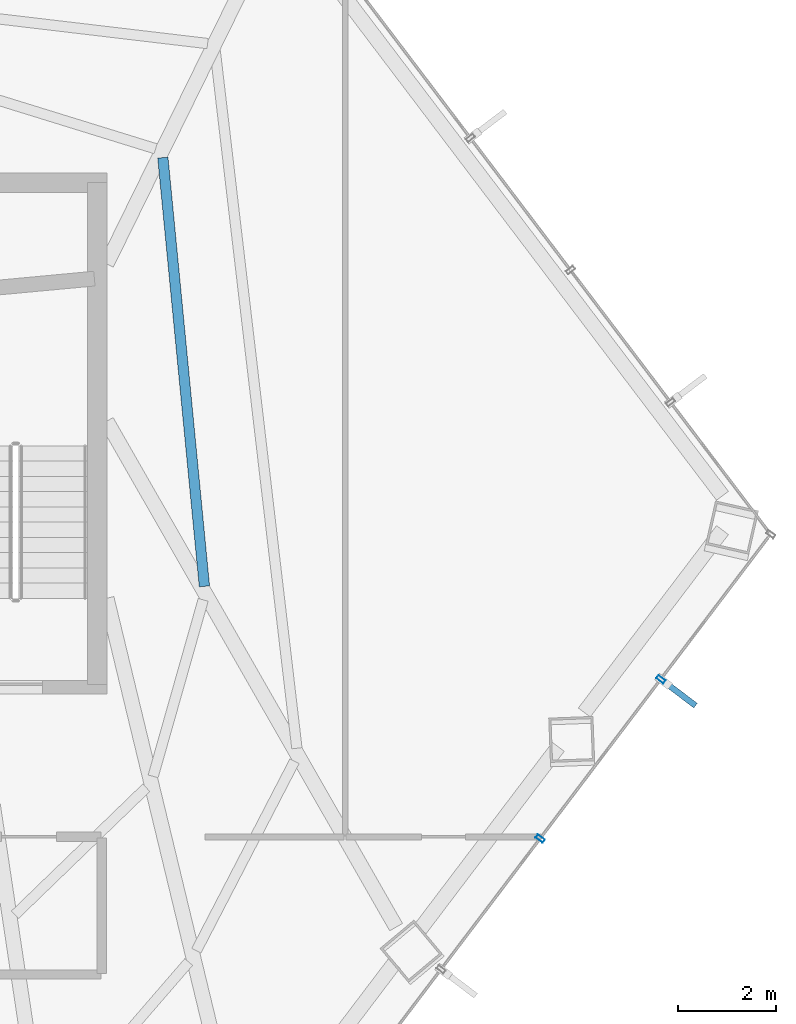
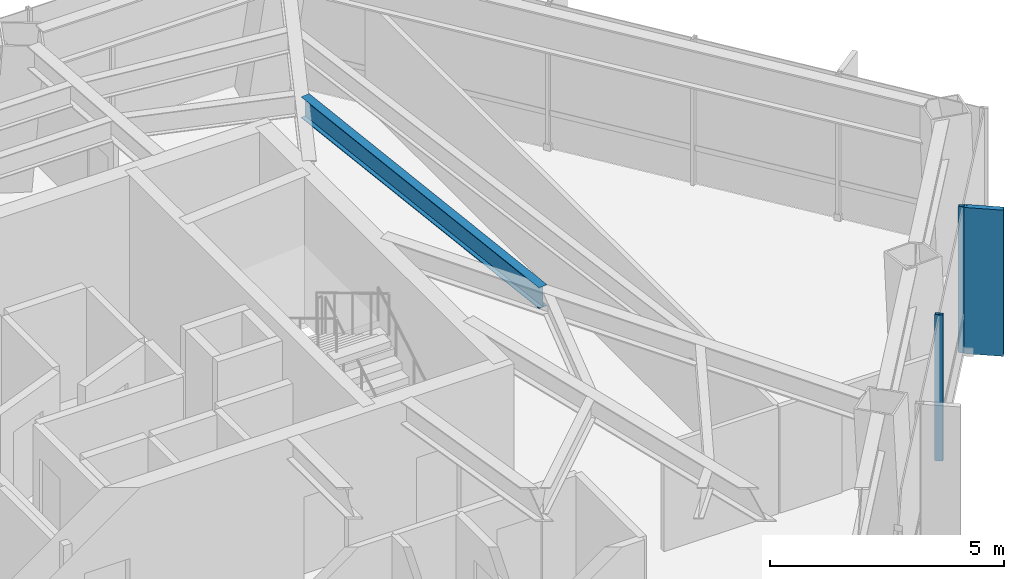
# One storey, part 19 of 27: 3 members, 1 beam, 1 element without a shape of its own.
"""IFC4 building model written with IfcOpenShell, lengths in metres."""

import ifcopenshell
import ifcopenshell.guid

model = None  # the IFC model being written
_history = None  # IfcOwnerHistory: only IFC2X3 demands one
_inside = {}  # id of a spatial element -> (the spatial element, [elements in it])
_under = {}  # id of a project, library or spatial element -> (it, [spatial elements below it])
_declared = {}  # id of a project -> (the project, [libraries it declares])
_typed = {}  # id of a type object -> (the type object, [elements of that type])
_made_of = {}  # id of a material, layer set ... -> (it, [elements and type objects made of it])


def new_model(schema):
    """Start an empty IFC model of exactly this schema.

    Asked for "IFC4X3", IfcOpenShell would pick the latest addendum, in which some entities
    have other attributes; the version numbers below select the first issue.
    IFC2X3 requires an IfcOwnerHistory on every rooted entity: one is made here for all.
    """
    global model, _history
    if schema == "IFC4X3":
        model = ifcopenshell.file(schema_version=(4, 3, 0, 0))
    else:
        model = ifcopenshell.file(schema=schema)
    _inside.clear()
    _under.clear()
    _declared.clear()
    _typed.clear()
    _made_of.clear()
    _history = None
    if model.schema == "IFC2X3":
        org = make("IfcOrganization", Name="unknown")
        user = make(
            "IfcPersonAndOrganization",
            ThePerson=make("IfcPerson", FamilyName="unknown"),
            TheOrganization=org,
        )
        app = make(
            "IfcApplication",
            ApplicationDeveloper=org,
            Version="unknown",
            ApplicationFullName="unknown",
            ApplicationIdentifier="unknown",
        )
        _history = make(
            "IfcOwnerHistory",
            OwningUser=user,
            OwningApplication=app,
            ChangeAction="ADDED",
            CreationDate=0,
        )
    return model


def make(cls, **values):
    """One entity of the class cls with the attributes given. An attribute that is None is left unset."""
    return model.create_entity(
        cls, **{name: value for name, value in values.items() if value is not None}
    )


def rooted(cls, **values):
    """An entity with a GlobalId (a new one), such as an element, a storey or a relation."""
    return make(cls, GlobalId=ifcopenshell.guid.new(), OwnerHistory=_history, **values)


def si_unit(unit_type, name, prefix=None):
    """IfcSIUnit, for example si_unit("LENGTHUNIT", "METRE", prefix="MILLI")."""
    return make("IfcSIUnit", UnitType=unit_type, Prefix=prefix, Name=name)


def assignment(units):
    """IfcUnitAssignment: the units of a project."""
    return None if units is None else make("IfcUnitAssignment", Units=units)


def point(xyz):
    """IfcCartesianPoint."""
    return None if xyz is None else make("IfcCartesianPoint", Coordinates=xyz)


def direction(xyz):
    """IfcDirection."""
    return None if xyz is None else make("IfcDirection", DirectionRatios=xyz)


def frame(location, z_axis=None, x_axis=None):
    """IfcAxis2Placement3D, a coordinate frame: its origin and axes. An axis left out is left unset."""
    return make(
        "IfcAxis2Placement3D",
        Location=point(location),
        Axis=direction(z_axis),
        RefDirection=direction(x_axis),
    )


def frame_2d(location, x_axis=None):
    """IfcAxis2Placement2D, a coordinate frame in the plane: its origin and x axis."""
    return make(
        "IfcAxis2Placement2D", Location=point(location), RefDirection=direction(x_axis)
    )


def origin():
    """The frame at (0, 0, 0) with its axes left unset."""
    return frame((0.0, 0.0, 0.0))


def origin_2d():
    """The frame at (0, 0) in the plane with its x axis left unset."""
    return frame_2d((0.0, 0.0))


def place(relative_to, where):
    """IfcLocalPlacement: puts the frame where relative to a parent placement (None: the world)."""
    return make(
        "IfcLocalPlacement", PlacementRelTo=relative_to, RelativePlacement=where
    )


def context(
    kind, dimensions, precision=None, world=None, true_north=None, identifier=None
):
    """IfcGeometricRepresentationContext, for example the 3D "Model" context."""
    return make(
        "IfcGeometricRepresentationContext",
        ContextIdentifier=identifier,
        ContextType=kind,
        CoordinateSpaceDimension=dimensions,
        Precision=precision,
        WorldCoordinateSystem=world,
        TrueNorth=true_north,
    )


def subcontext(parent, identifier, kind, view, scale=None):
    """IfcGeometricRepresentationSubContext, for example "Body" below "Model"."""
    return make(
        "IfcGeometricRepresentationSubContext",
        ContextIdentifier=identifier,
        ContextType=kind,
        ParentContext=parent,
        TargetScale=scale,
        TargetView=view,
    )


def project(units=None, contexts=None):
    """IfcProject with its units and contexts."""
    return rooted(
        "IfcProject",
        Name="project",
        RepresentationContexts=contexts,
        UnitsInContext=assignment(units),
    )


def spatial(cls, under=None, at=None, **own):
    """A site, building, storey or space (cls), placed at a placement, below another one or the project."""
    s = rooted(cls, ObjectPlacement=at, **own)
    if under is not None:
        _under.setdefault(under.id(), (under, []))[1].append(s)
    return s


def profile(cls, at=None, kind="AREA", **sizes):
    """A parametric profile (cls). Its sizes go by their IFC names, for example OverallWidth=200.0."""
    return make(cls, ProfileType=kind, Position=at, **sizes)


def rectangle(**sizes):
    """IfcRectangleProfileDef."""
    return profile("IfcRectangleProfileDef", **sizes)


def hollow_rectangle(**sizes):
    """IfcRectangleHollowProfileDef."""
    return profile("IfcRectangleHollowProfileDef", **sizes)


def i_section(**sizes):
    """IfcIShapeProfileDef."""
    return profile("IfcIShapeProfileDef", **sizes)


def extrude(swept, where, along, depth):
    """IfcExtrudedAreaSolid: the profile swept, set in the frame where, extruded along a direction by depth."""
    return make(
        "IfcExtrudedAreaSolid",
        SweptArea=swept,
        Position=where,
        ExtrudedDirection=direction(along),
        Depth=depth,
    )


def shape(context_of_items, identifier, shape_type, items):
    """IfcShapeRepresentation: the items that make up one representation, for example the "Body"."""
    return make(
        "IfcShapeRepresentation",
        ContextOfItems=context_of_items,
        RepresentationIdentifier=identifier,
        RepresentationType=shape_type,
        Items=items,
    )


def material(Name=None, Category=None):
    """IfcMaterial."""
    return make("IfcMaterial", Name=Name, Category=Category)


def layer(
    of_material, thickness, ventilated=None, Name=None, Category=None, Priority=None
):
    """IfcMaterialLayer: one layer of a wall or slab, of a material (None: an air gap)."""
    return make(
        "IfcMaterialLayer",
        Material=of_material,
        LayerThickness=thickness,
        IsVentilated=ventilated,
        Name=Name,
        Category=Category,
        Priority=Priority,
    )


def layer_set(layers, Name=None):
    """IfcMaterialLayerSet."""
    return make("IfcMaterialLayerSet", MaterialLayers=layers, LayerSetName=Name)


def material_profile(
    of_material, cross_section, Name=None, Category=None, Priority=None
):
    """IfcMaterialProfile: a cross section and its material."""
    return make(
        "IfcMaterialProfile",
        Name=Name,
        Material=of_material,
        Profile=cross_section,
        Priority=Priority,
        Category=Category,
    )


def profile_set(profiles, Name=None, composite=None):
    """IfcMaterialProfileSet."""
    return make(
        "IfcMaterialProfileSet",
        Name=Name,
        MaterialProfiles=profiles,
        CompositeProfile=composite,
    )


def made_of(thing, what):
    """Note that an element or type object is made of a material, layer set ...; save() writes the relation."""
    if what is not None:
        _made_of.setdefault(what.id(), (what, []))[1].append(thing)
    return thing


def type_object(cls, material=None, **own):
    """A type object (cls), such as IfcWallType, which elements share."""
    return made_of(rooted(cls, **own), material)


def element(
    cls,
    number,
    at=None,
    inside=None,
    cuts=None,
    type_object=None,
    material=None,
    context=None,
    identifier="Body",
    shape_type=None,
    held_by="IfcProductDefinitionShape",
    body=None,
    shapes=None,
    **own,
):
    """One element of the class cls, such as IfcWall. Its Tag is "e" and its number.

    at: its placement. inside: the storey or other place that contains it. cuts: it is an
    opening in that element (IfcRelVoidsElement). A single representation is given by context,
    identifier, shape_type and body (its items); several are given by shapes. held_by: the class
    of the entity that holds the representations. save() writes the other relations.
    """
    e = rooted(cls, Tag="e%d" % number, ObjectPlacement=at, **own)
    if body is not None:
        shapes = [shape(context, identifier, shape_type, body)]
    if shapes is not None:
        e.Representation = make(held_by, Representations=shapes)
    if inside is not None:
        _inside.setdefault(inside.id(), (inside, []))[1].append(e)
    if cuts is not None:
        rooted(
            "IfcRelVoidsElement", RelatingBuildingElement=cuts, RelatedOpeningElement=e
        )
    if type_object is not None:
        _typed.setdefault(type_object.id(), (type_object, []))[1].append(e)
    return made_of(e, material)


def aggregate(whole, parts):
    """IfcRelAggregates: a whole, such as a stair, and the parts it consists of."""
    return rooted("IfcRelAggregates", RelatingObject=whole, RelatedObjects=parts)


def save(model, path):
    """Write the relations noted so far, then the file.

    IfcRelAggregates (storeys below a building ...), IfcRelContainedInSpatialStructure (elements
    in a storey), IfcRelDefinesByType, IfcRelAssociatesMaterial and IfcRelDeclares: one each for
    every whole, place, type object, material and project.
    """
    for whole, parts in _under.values():
        aggregate(whole, parts)
    for where, things in _inside.values():
        rooted(
            "IfcRelContainedInSpatialStructure",
            RelatedElements=things,
            RelatingStructure=where,
        )
    for kind, things in _typed.values():
        rooted("IfcRelDefinesByType", RelatedObjects=things, RelatingType=kind)
    for what, things in _made_of.values():
        rooted("IfcRelAssociatesMaterial", RelatedObjects=things, RelatingMaterial=what)
    for by, libraries in _declared.values():
        rooted("IfcRelDeclares", RelatingContext=by, RelatedDefinitions=libraries)
    model.write(path)


model = new_model("IFC4")

# Units and contexts
model_context = context("Model", 3, precision=1e-05, world=origin(), true_north=direction((0.0, 1.0)))
body_context = subcontext(model_context, "Body", "Model", "MODEL_VIEW")
ifc_project = project(units=[si_unit("LENGTHUNIT", "METRE"), si_unit("AREAUNIT", "SQUARE_METRE"), si_unit("VOLUMEUNIT", "CUBIC_METRE"), si_unit("PLANEANGLEUNIT", "RADIAN"), si_unit("MASSUNIT", "GRAM", prefix="KILO")], contexts=[model_context])

# Site, building, storey
site_placement = place(None, origin())
site = spatial("IfcSite", under=ifc_project, at=site_placement, CompositionType="ELEMENT")
building_placement = place(site_placement, origin())
building = spatial("IfcBuilding", under=site, at=building_placement, Name="Zarrinselat Tower", CompositionType="ELEMENT")
storey_placement = place(building_placement, frame((0.0, 0.0, 80.580078125)))
storey = spatial("IfcBuildingStorey", under=building, at=storey_placement, Name="L19", CompositionType="ELEMENT", Elevation=80.580078125)

# Beam
ifc_material_1 = material(Name="Steel S355J2", Category="steel")
ifc_material_profile_1 = material_profile(ifc_material_1, i_section(OverallWidth=0.2099609375, OverallDepth=0.550048828125, WebThickness=0.010986328125, FlangeThickness=0.01708984375, at=origin_2d()), Name="IPE 550")
ifc_profile_set_1 = profile_set([ifc_material_profile_1], Name="Steel S355J2")
beam_type = type_object("IfcBeamType", Name="BM-IPE550", PredefinedType="JOIST", material=ifc_profile_set_1)
beam_placement = place(storey_placement, frame((49.592041015625, 43.95947265625, 3.544921875), z_axis=(0.096480992485, -0.995334827126, 0.0), x_axis=(0.995334827126, 0.096480992485, 0.0)))
element("IfcBeam", 1, at=beam_placement, inside=storey, type_object=beam_type, Name="L19 Composite Floor Joist 5-2", PredefinedType="JOIST", context=body_context, shape_type="SweptSolid", body=[
    extrude(i_section(OverallWidth=0.2099609375, OverallDepth=0.550048828125, WebThickness=0.010986328125, FlangeThickness=0.01708984375, at=origin_2d()), origin(), (0.0, 0.0, 1.0), 8.7578125),
])

# Curtain wall, members
ifc_material_2 = material(Name="Extruded Aluminium Alloy EN AW-6063 T6", Category="aluminium")
ifc_layer = layer(ifc_material_2, 0.18505859375)
ifc_layer_set = layer_set([ifc_layer], Name="Extruded Aluminium Alloy EN AW-6063 T6")
curtain_wall_type = type_object("IfcCurtainWallType", Name="CWS-OFF", PredefinedType="NOTDEFINED", material=ifc_layer_set)
curtain_wall_placement = place(storey_placement, origin())
curtain_wall = element("IfcCurtainWall", 2, at=curtain_wall_placement, inside=storey, type_object=curtain_wall_type, Name="L19 Unitised Curtain Wall CW-L19-E05", PredefinedType="NOTDEFINED")
ifc_material_3 = material(Name="Extruded Aluminium Alloy EN AW-6063 T6", Category="aluminium")
ifc_material_profile_2 = material_profile(ifc_material_3, hollow_rectangle(XDim=0.080078125, YDim=0.179931640625, WallThickness=0.0048828125, at=origin_2d()), Name="RHS 180x80x5")
ifc_profile_set_2 = profile_set([ifc_material_profile_2], Name="Extruded Aluminium Alloy EN AW-6063 T6")
member_type_1 = type_object("IfcMemberType", Name="MEM-CW-MUL", PredefinedType="MULLION", material=ifc_profile_set_2)
member_1_placement = place(storey_placement, frame((57.263916015625, 30.11376953125, 0.0), z_axis=(0.0, 0.0, 1.0), x_axis=(0.603855086386, 0.797094119063, 0.0)))
member_1 = element("IfcMember", 3, at=member_1_placement, type_object=member_type_1, Name="CW-L19-E05 Mullion 4", PredefinedType="MULLION", context=body_context, shape_type="SweptSolid", body=[
    extrude(hollow_rectangle(XDim=0.080078125, YDim=0.179931640625, WallThickness=0.0048828125, at=origin_2d()), origin(), (0.0, 0.0, 1.0), 3.81982421875),
])
member_2_placement = place(storey_placement, frame((59.71728515625, 33.352294921875, 0.0), z_axis=(0.0, 0.0, 1.0), x_axis=(0.603855086386, 0.797094119063, 0.0)))
member_2 = element("IfcMember", 4, at=member_2_placement, type_object=member_type_1, Name="CW-L19-E05 Mullion 5", PredefinedType="MULLION", context=body_context, shape_type="SweptSolid", body=[
    extrude(hollow_rectangle(XDim=0.080078125, YDim=0.179931640625, WallThickness=0.0048828125, at=origin_2d()), origin(), (0.0, 0.0, 1.0), 3.81982421875),
])
ifc_material_4 = material(Name="Honed Cream Travertine Stone", Category="masonry")
ifc_material_profile_3 = material_profile(ifc_material_4, rectangle(XDim=0.1201171875, YDim=0.85009765625, at=origin_2d()), Name="FIN 850x120")
ifc_profile_set_3 = profile_set([ifc_material_profile_3], Name="Honed Cream Travertine Stone")
member_type_2 = type_object("IfcMemberType", Name="MEM-STONE-FIN", PredefinedType="USERDEFINED", material=ifc_profile_set_3)
member_3_placement = place(storey_placement, frame((60.083984375, 33.074462890625, 0.0), z_axis=(0.0, 0.0, 1.0), x_axis=(-0.603855086386, -0.797094119063, 0.0)))
member_3 = element("IfcMember", 5, at=member_3_placement, type_object=member_type_2, Name="L19 Stone Shading Fin CW-L19-E05-05", ObjectType="FIN", PredefinedType="USERDEFINED", context=body_context, shape_type="SweptSolid", body=[
    extrude(rectangle(XDim=0.1201171875, YDim=0.85009765625, at=origin_2d()), origin(), (0.0, 0.0, 1.0), 3.81982421875),
])
aggregate(curtain_wall, [member_1, member_2, member_3])

save(model, "model.ifc")
